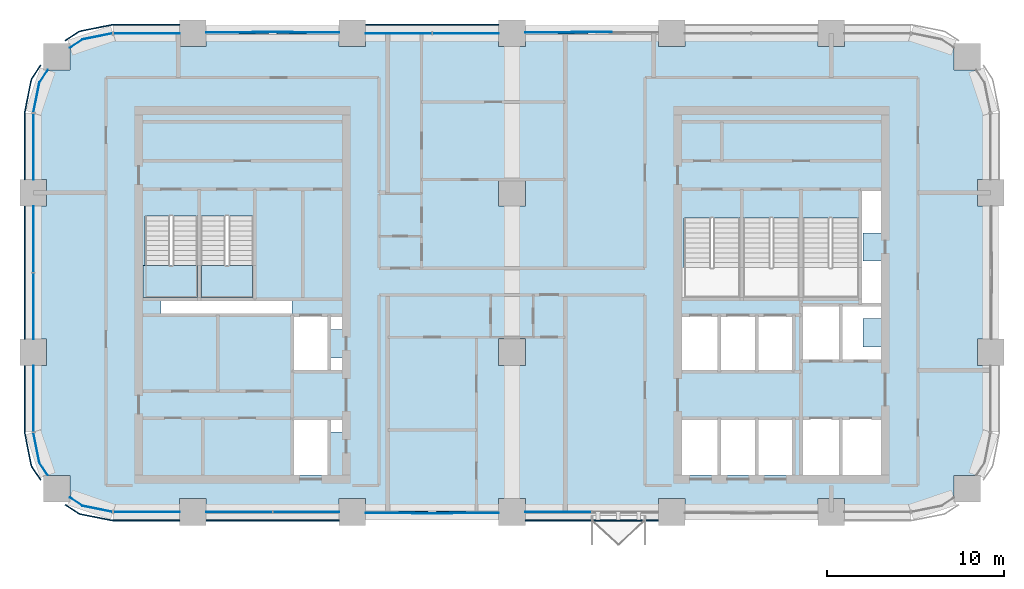
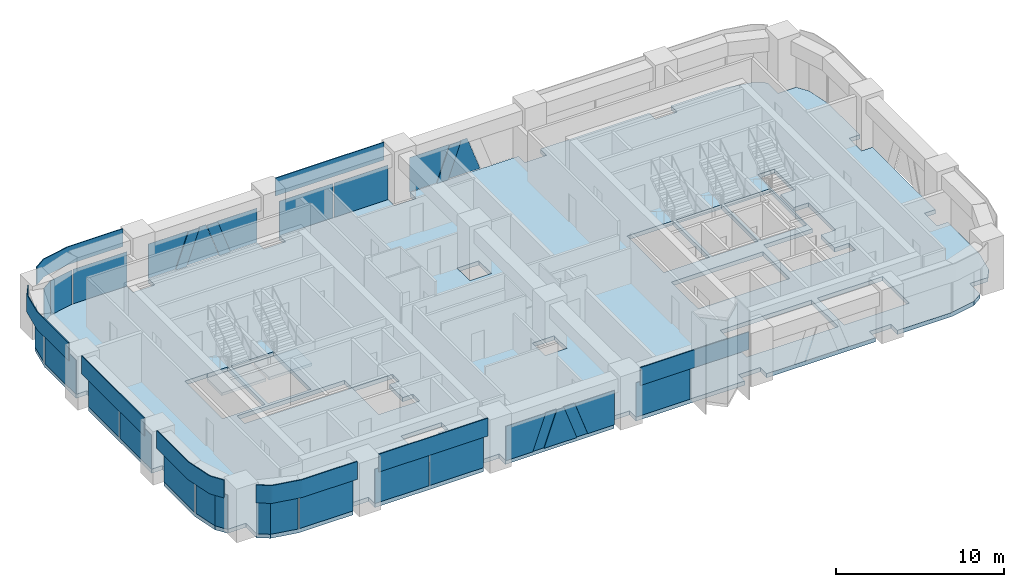
# One storey, part 7 of 14: 36 plates, 3 slabs, 13 elements without a shape of their own.
"""IFC4 building model written with IfcOpenShell, lengths in metres."""

from ifc_helpers import new_model, si_unit, direction, frame, origin, origin_2d, place, context, subcontext, project, spatial, polyline, rectangle, outline, extrude, material, layer, layer_set, type_object, element, aggregate, save


model = new_model("IFC4")

# Units and contexts
model_context = context("Model", 3, precision=1e-05, world=origin(), true_north=direction((0.0, 1.0)))
body_context = subcontext(model_context, "Body", "Model", "MODEL_VIEW")
ifc_project = project(units=[si_unit("LENGTHUNIT", "METRE"), si_unit("AREAUNIT", "SQUARE_METRE"), si_unit("VOLUMEUNIT", "CUBIC_METRE"), si_unit("PLANEANGLEUNIT", "RADIAN"), si_unit("MASSUNIT", "GRAM", prefix="KILO")], contexts=[model_context])

# Site, building, storey
site_placement = place(None, origin())
site = spatial("IfcSite", under=ifc_project, at=site_placement, CompositionType="ELEMENT")
building_placement = place(site_placement, origin())
building = spatial("IfcBuilding", under=site, at=building_placement, Name="Tessera Arch", CompositionType="ELEMENT")
storey_placement = place(building_placement, frame((0.0, 0.0, 134.89990234375)))
storey = spatial("IfcBuildingStorey", under=building, at=storey_placement, Name="L31", CompositionType="ELEMENT", Elevation=134.89990234375)

# Curtain wall, plates
ifc_material_1 = material(Name="CW1 curtain wall")
curtain_wall_type_1 = type_object("IfcCurtainWallType", Name="CW1 curtain wall", PredefinedType="NOTDEFINED", material=ifc_material_1)
curtain_wall_1_placement = place(storey_placement, origin())
curtain_wall_1 = element("IfcCurtainWall", 1, at=curtain_wall_1_placement, inside=storey, type_object=curtain_wall_type_1, Name="CW1 curtain wall N54.0/3 L31", PredefinedType="NOTDEFINED")
ifc_material_2 = material(Name="Clear low-e glass", Category="glass")
ifc_material_3 = material(Name="Clear low-e glass", Category="glass")
ifc_layer_1 = layer(ifc_material_3, 0.028076171875)
ifc_layer_set_1 = layer_set([ifc_layer_1], Name="CW1 glass panel")
plate_type_1 = type_object("IfcPlateType", Name="CW1 glass panel", PredefinedType="CURTAIN_PANEL", material=ifc_layer_set_1)
plate_1_placement = place(storey_placement, frame((24.389892578125, 54.0, 0.0), z_axis=(0.0, 0.0, 1.0), x_axis=(-1.0, 0.0, 0.0)))
plate_1 = element("IfcPlate", 2, at=plate_1_placement, type_object=plate_type_1, material=ifc_material_2, Name="CW1 glass panel N54.0/3 1.1.1", PredefinedType="CURTAIN_PANEL", context=body_context, shape_type="SweptSolid", body=[
    extrude(rectangle(XDim=3.719970703125, YDim=0.028076171875, at=origin_2d()), origin(), (0.0, 0.0, 1.0), 2.5),
])
plate_2_placement = place(storey_placement, frame((20.610107421875, 54.0, 0.0), z_axis=(0.0, 0.0, 1.0), x_axis=(-1.0, 0.0, 0.0)))
plate_2 = element("IfcPlate", 3, at=plate_2_placement, type_object=plate_type_1, material=ifc_material_2, Name="CW1 glass panel N54.0/3 1.2.1", PredefinedType="CURTAIN_PANEL", context=body_context, shape_type="SweptSolid", body=[
    extrude(rectangle(XDim=3.719970703125, YDim=0.028076171875, at=origin_2d()), origin(), (0.0, 0.0, 1.0), 2.5),
])

curtain_wall_2_placement = place(storey_placement, origin())
curtain_wall_2 = element("IfcCurtainWall", 4, at=curtain_wall_2_placement, inside=storey, type_object=curtain_wall_type_1, Name="CW1 curtain wall W0.27/1 L31", PredefinedType="NOTDEFINED")
plate_3_placement = place(storey_placement, frame((0.0, 42.389892578125, 0.0), z_axis=(0.0, 0.0, 1.0), x_axis=(0.0, -1.0, 0.0)))
plate_3 = element("IfcPlate", 5, at=plate_3_placement, type_object=plate_type_1, material=ifc_material_2, Name="CW1 glass panel W0.27/1 1.1.1", PredefinedType="CURTAIN_PANEL", context=body_context, shape_type="SweptSolid", body=[
    extrude(rectangle(XDim=3.719970703125, YDim=0.028076171875, at=origin_2d()), origin(), (0.0, 0.0, 1.0), 2.5),
])
plate_4_placement = place(storey_placement, frame((0.0, 38.610107421875, 0.0), z_axis=(0.0, 0.0, 1.0), x_axis=(0.0, -1.0, 0.0)))
plate_4 = element("IfcPlate", 6, at=plate_4_placement, type_object=plate_type_1, material=ifc_material_2, Name="CW1 glass panel W0.27/1 1.2.1", PredefinedType="CURTAIN_PANEL", context=body_context, shape_type="SweptSolid", body=[
    extrude(rectangle(XDim=3.719970703125, YDim=0.028076171875, at=origin_2d()), origin(), (0.0, 0.0, 1.0), 2.5),
])

curtain_wall_3_placement = place(storey_placement, origin())
curtain_wall_3 = element("IfcCurtainWall", 7, at=curtain_wall_3_placement, inside=storey, type_object=curtain_wall_type_1, Name="CW1 curtain wall S27.0/1 L31", PredefinedType="NOTDEFINED")
plate_5_placement = place(storey_placement, frame((11.610107421875, 27.0, 0.0), z_axis=(0.0, 0.0, 1.0), x_axis=(1.0, 0.0, 0.0)))
plate_5 = element("IfcPlate", 8, at=plate_5_placement, type_object=plate_type_1, material=ifc_material_2, Name="CW1 glass panel S27.0/1 1.1.1", PredefinedType="CURTAIN_PANEL", context=body_context, shape_type="SweptSolid", body=[
    extrude(rectangle(XDim=3.719970703125, YDim=0.028076171875, at=origin_2d()), origin(), (0.0, 0.0, 1.0), 2.5),
])
plate_6_placement = place(storey_placement, frame((15.389892578125, 27.0, 0.0), z_axis=(0.0, 0.0, 1.0), x_axis=(1.0, 0.0, 0.0)))
plate_6 = element("IfcPlate", 9, at=plate_6_placement, type_object=plate_type_1, material=ifc_material_2, Name="CW1 glass panel S27.0/1 1.2.1", PredefinedType="CURTAIN_PANEL", context=body_context, shape_type="SweptSolid", body=[
    extrude(rectangle(XDim=3.719970703125, YDim=0.028076171875, at=origin_2d()), origin(), (0.0, 0.0, 1.0), 2.5),
])

# Curtain wall, plate
curtain_wall_4_placement = place(storey_placement, origin())
curtain_wall_4 = element("IfcCurtainWall", 10, at=curtain_wall_4_placement, inside=storey, type_object=curtain_wall_type_1, Name="CW1 curtain wall S27.0/3 L31", PredefinedType="NOTDEFINED")
plate_7_placement = place(storey_placement, frame((29.610107421875, 27.0, 0.0), z_axis=(0.0, 0.0, 1.0), x_axis=(1.0, 0.0, 0.0)))
plate_7 = element("IfcPlate", 11, at=plate_7_placement, type_object=plate_type_1, material=ifc_material_2, Name="CW1 glass panel S27.0/3 1.1.1", PredefinedType="CURTAIN_PANEL", context=body_context, shape_type="SweptSolid", body=[
    extrude(rectangle(XDim=3.719970703125, YDim=0.028076171875, at=origin_2d()), origin(), (0.0, 0.0, 1.0), 2.5),
])

# Plate
ifc_material_4 = material(Name="Pale anodised aluminium panel", Category="aluminium")
ifc_layer_2 = layer(ifc_material_4, 0.06005859375)
ifc_layer_set_2 = layer_set([ifc_layer_2], Name="CW1 spandrel panel")
plate_type_2 = type_object("IfcPlateType", Name="CW1 spandrel panel", PredefinedType="CURTAIN_PANEL", material=ifc_layer_set_2)
plate_8_placement = place(storey_placement, frame((22.5, 54.47998046875, 2.60009765625), z_axis=(0.0, 0.0, 1.0), x_axis=(-1.0, 0.0, 0.0)))
plate_8 = element("IfcPlate", 12, at=plate_8_placement, type_object=plate_type_2, Name="CW1 spandrel panel N54.0/3", PredefinedType="CURTAIN_PANEL", context=body_context, shape_type="SweptSolid", body=[
    extrude(rectangle(XDim=7.5, YDim=0.06005859375, at=origin_2d()), origin(), (0.0, 0.0, 1.0), 1.300048828125),
])

aggregate(curtain_wall_1, [plate_1, plate_2, plate_8])

plate_9_placement = place(storey_placement, frame((-0.47998046875, 40.5, 2.60009765625), z_axis=(0.0, 0.0, 1.0), x_axis=(0.0, -1.0, 0.0)))
plate_9 = element("IfcPlate", 13, at=plate_9_placement, type_object=plate_type_2, Name="CW1 spandrel panel W0.27/1", PredefinedType="CURTAIN_PANEL", context=body_context, shape_type="SweptSolid", body=[
    extrude(rectangle(XDim=7.5, YDim=0.06005859375, at=origin_2d()), origin(), (0.0, 0.0, 1.0), 1.300048828125),
])

aggregate(curtain_wall_2, [plate_3, plate_4, plate_9])

plate_10_placement = place(storey_placement, frame((13.5, 26.52001953125, 2.60009765625), z_axis=(0.0, 0.0, 1.0), x_axis=(1.0, 0.0, 0.0)))
plate_10 = element("IfcPlate", 14, at=plate_10_placement, type_object=plate_type_2, Name="CW1 spandrel panel S27.0/1", PredefinedType="CURTAIN_PANEL", context=body_context, shape_type="SweptSolid", body=[
    extrude(rectangle(XDim=7.5, YDim=0.06005859375, at=origin_2d()), origin(), (0.0, 0.0, 1.0), 1.300048828125),
])

aggregate(curtain_wall_3, [plate_5, plate_6, plate_10])

plate_11_placement = place(storey_placement, frame((31.5, 26.52001953125, 2.60009765625), z_axis=(0.0, 0.0, 1.0), x_axis=(1.0, 0.0, 0.0)))
plate_11 = element("IfcPlate", 15, at=plate_11_placement, type_object=plate_type_2, Name="CW1 spandrel panel S27.0/3", PredefinedType="CURTAIN_PANEL", context=body_context, shape_type="SweptSolid", body=[
    extrude(rectangle(XDim=7.5, YDim=0.06005859375, at=origin_2d()), origin(), (0.0, 0.0, 1.0), 1.300048828125),
])

aggregate(curtain_wall_4, [plate_7, plate_11])

# Curtain wall, plates
ifc_material_5 = material(Name="CW2 curtain wall")
curtain_wall_type_2 = type_object("IfcCurtainWallType", Name="CW2 curtain wall", PredefinedType="NOTDEFINED", material=ifc_material_5)
curtain_wall_5_placement = place(storey_placement, origin())
curtain_wall_5 = element("IfcCurtainWall", 16, at=curtain_wall_5_placement, inside=storey, type_object=curtain_wall_type_2, Name="CW2 curtain wall N54.0/5 L31", PredefinedType="NOTDEFINED")
ifc_material_6 = material(Name="Clear low-e glass", Category="glass")
ifc_layer_3 = layer(ifc_material_6, 0.028076171875)
ifc_layer_set_3 = layer_set([ifc_layer_3], Name="CW2 glass panel")
plate_type_3 = type_object("IfcPlateType", Name="CW2 glass panel", PredefinedType="CURTAIN_PANEL", material=ifc_layer_set_3)
plate_12_placement = place(storey_placement, frame((6.39501953125, 54.0, 0.0), z_axis=(0.0, 0.0, 1.0), x_axis=(-1.0, 0.0, 0.0)))
plate_12 = element("IfcPlate", 17, at=plate_12_placement, type_object=plate_type_3, material=ifc_material_2, Name="CW2 glass panel N54.0/5 1.1", PredefinedType="CURTAIN_PANEL", context=body_context, shape_type="SweptSolid", body=[
    extrude(rectangle(XDim=3.7099609375, YDim=0.028076171875, at=origin_2d()), origin(), (0.0, 0.0, 1.0), 2.5),
])
plate_13_placement = place(storey_placement, origin())
plate_13 = element("IfcPlate", 18, at=plate_13_placement, type_object=plate_type_3, material=ifc_material_2, Name="CW2 curved glass panel N54.0/5 2.1", PredefinedType="CURTAIN_PANEL", context=body_context, shape_type="SweptSolid", body=[
    extrude(outline(polyline([(2.783447265625, 53.644287109375), (4.46337890625, 53.978515625), (4.4580078125, 54.005859375), (2.7724609375, 53.670654296875), (2.060302734375, 53.19482421875), (2.07568359375, 53.17138671875), (2.783447265625, 53.644287109375)])), origin(), (0.0, 0.0, 1.0), 2.5),
])

curtain_wall_6_placement = place(storey_placement, origin())
curtain_wall_6 = element("IfcCurtainWall", 19, at=curtain_wall_6_placement, inside=storey, type_object=curtain_wall_type_2, Name="CW2 curtain wall W0.27/0 L31", PredefinedType="NOTDEFINED")
plate_14_placement = place(storey_placement, frame((0.0, 47.60498046875, 0.0), z_axis=(0.0, 0.0, 1.0), x_axis=(0.0, -1.0, 0.0)))
plate_14 = element("IfcPlate", 20, at=plate_14_placement, type_object=plate_type_3, material=ifc_material_2, Name="CW2 glass panel W0.27/0 1.1", PredefinedType="CURTAIN_PANEL", context=body_context, shape_type="SweptSolid", body=[
    extrude(rectangle(XDim=3.7099609375, YDim=0.028076171875, at=origin_2d()), origin(), (0.0, 0.0, 1.0), 2.5),
])
plate_15_placement = place(storey_placement, origin())
plate_15 = element("IfcPlate", 21, at=plate_15_placement, type_object=plate_type_3, material=ifc_material_2, Name="CW2 curved glass panel W0.27/0 2.1", PredefinedType="CURTAIN_PANEL", context=body_context, shape_type="SweptSolid", body=[
    extrude(outline(polyline([(0.355712890625, 51.216552734375), (0.82861328125, 51.92431640625), (0.80517578125, 51.939697265625), (0.329345703125, 51.2275390625), (-0.005859375, 49.5419921875), (0.021484375, 49.53662109375), (0.355712890625, 51.216552734375)])), origin(), (0.0, 0.0, 1.0), 2.5),
])

curtain_wall_7_placement = place(storey_placement, origin())
curtain_wall_7 = element("IfcCurtainWall", 22, at=curtain_wall_7_placement, inside=storey, type_object=curtain_wall_type_2, Name="CW2 curtain wall W0.27/2 L31", PredefinedType="NOTDEFINED")
plate_16_placement = place(storey_placement, frame((0.0, 33.39501953125, 0.0), z_axis=(0.0, 0.0, 1.0), x_axis=(0.0, -1.0, 0.0)))
plate_16 = element("IfcPlate", 23, at=plate_16_placement, type_object=plate_type_3, material=ifc_material_2, Name="CW2 glass panel W0.27/2 1.1", PredefinedType="CURTAIN_PANEL", context=body_context, shape_type="SweptSolid", body=[
    extrude(rectangle(XDim=3.7099609375, YDim=0.028076171875, at=origin_2d()), origin(), (0.0, 0.0, 1.0), 2.5),
])
plate_17_placement = place(storey_placement, origin())
plate_17 = element("IfcPlate", 24, at=plate_17_placement, type_object=plate_type_3, material=ifc_material_2, Name="CW2 curved glass panel W0.27/2 2.1", PredefinedType="CURTAIN_PANEL", context=body_context, shape_type="SweptSolid", body=[
    extrude(outline(polyline([(0.355712890625, 29.783447265625), (0.021484375, 31.46337890625), (-0.005859375, 31.4580078125), (0.329345703125, 29.7724609375), (0.80517578125, 29.060302734375), (0.82861328125, 29.07568359375), (0.355712890625, 29.783447265625)])), origin(), (0.0, 0.0, 1.0), 2.5),
])

curtain_wall_8_placement = place(storey_placement, origin())
curtain_wall_8 = element("IfcCurtainWall", 25, at=curtain_wall_8_placement, inside=storey, type_object=curtain_wall_type_2, Name="CW2 curtain wall S27.0/0 L31", PredefinedType="NOTDEFINED")
plate_18_placement = place(storey_placement, frame((6.39501953125, 27.0, 0.0), z_axis=(0.0, 0.0, 1.0), x_axis=(1.0, 0.0, 0.0)))
plate_18 = element("IfcPlate", 26, at=plate_18_placement, type_object=plate_type_3, material=ifc_material_2, Name="CW2 glass panel S27.0/0 1.1", PredefinedType="CURTAIN_PANEL", context=body_context, shape_type="SweptSolid", body=[
    extrude(rectangle(XDim=3.7099609375, YDim=0.028076171875, at=origin_2d()), origin(), (0.0, 0.0, 1.0), 2.5),
])
plate_19_placement = place(storey_placement, origin())
plate_19 = element("IfcPlate", 27, at=plate_19_placement, type_object=plate_type_3, material=ifc_material_2, Name="CW2 curved glass panel S27.0/0 2.1", PredefinedType="CURTAIN_PANEL", context=body_context, shape_type="SweptSolid", body=[
    extrude(outline(polyline([(2.783447265625, 27.355712890625), (2.07568359375, 27.82861328125), (2.060302734375, 27.80517578125), (2.7724609375, 27.329345703125), (4.4580078125, 26.994140625), (4.46337890625, 27.021484375), (2.783447265625, 27.355712890625)])), origin(), (0.0, 0.0, 1.0), 2.5),
])

# Plate
ifc_material_7 = material(Name="Pale anodised aluminium panel", Category="aluminium")
ifc_layer_4 = layer(ifc_material_7, 0.06005859375)
ifc_layer_set_4 = layer_set([ifc_layer_4], Name="CW2 spandrel panel")
plate_type_4 = type_object("IfcPlateType", Name="CW2 spandrel panel", PredefinedType="CURTAIN_PANEL", material=ifc_layer_set_4)
plate_20_placement = place(storey_placement, frame((0.0, 0.0, 2.60009765625)))
plate_20 = element("IfcPlate", 28, at=plate_20_placement, type_object=plate_type_4, Name="CW2 spandrel panel N54.0/5", PredefinedType="CURTAIN_PANEL", context=body_context, shape_type="SweptSolid", body=[
    extrude(outline(polyline([(4.500732421875, 54.449951171875), (8.25, 54.449951171875), (8.25, 54.510009765625), (4.499267578125, 54.510009765625), (4.449951171875, 54.507568359375), (4.401123046875, 54.500244140625), (2.677734375, 54.157470703125), (2.6298828125, 54.1455078125), (2.582763671875, 54.128662109375), (2.537353515625, 54.107421875), (2.4951171875, 54.08203125), (1.78466796875, 53.607177734375), (1.81787109375, 53.55712890625), (2.52734375, 54.03125), (2.565673828125, 54.054443359375), (2.605712890625, 54.0732421875), (2.647216796875, 54.088134765625), (2.69091796875, 54.09912109375), (4.411376953125, 54.441162109375), (4.455810546875, 54.44775390625), (4.500732421875, 54.449951171875)])), origin(), (0.0, 0.0, 1.0), 1.300048828125),
])

aggregate(curtain_wall_5, [plate_12, plate_13, plate_20])

plate_21_placement = place(storey_placement, frame((0.0, 0.0, 2.60009765625)))
plate_21 = element("IfcPlate", 29, at=plate_21_placement, type_object=plate_type_4, Name="CW2 spandrel panel W0.27/0", PredefinedType="CURTAIN_PANEL", context=body_context, shape_type="SweptSolid", body=[
    extrude(outline(polyline([(-0.03125, 51.47265625), (0.44287109375, 52.18212890625), (0.392822265625, 52.21533203125), (-0.08203125, 51.5048828125), (-0.107421875, 51.462646484375), (-0.128662109375, 51.417236328125), (-0.1455078125, 51.3701171875), (-0.157470703125, 51.322265625), (-0.500244140625, 49.598876953125), (-0.507568359375, 49.550048828125), (-0.510009765625, 49.500732421875), (-0.510009765625, 45.75), (-0.449951171875, 45.75), (-0.449951171875, 49.499267578125), (-0.44775390625, 49.544189453125), (-0.441162109375, 49.588623046875), (-0.09912109375, 51.30908203125), (-0.088134765625, 51.352783203125), (-0.0732421875, 51.394287109375), (-0.054443359375, 51.434326171875), (-0.03125, 51.47265625)])), origin(), (0.0, 0.0, 1.0), 1.300048828125),
])

aggregate(curtain_wall_6, [plate_14, plate_15, plate_21])

plate_22_placement = place(storey_placement, frame((0.0, 0.0, 2.60009765625)))
plate_22 = element("IfcPlate", 30, at=plate_22_placement, type_object=plate_type_4, Name="CW2 spandrel panel W0.27/2", PredefinedType="CURTAIN_PANEL", context=body_context, shape_type="SweptSolid", body=[
    extrude(outline(polyline([(-0.449951171875, 31.500732421875), (-0.449951171875, 35.25), (-0.510009765625, 35.25), (-0.510009765625, 31.499267578125), (-0.507568359375, 31.449951171875), (-0.500244140625, 31.401123046875), (-0.157470703125, 29.677734375), (-0.1455078125, 29.6298828125), (-0.128662109375, 29.582763671875), (-0.107421875, 29.537353515625), (-0.08203125, 29.4951171875), (0.392822265625, 28.78466796875), (0.44287109375, 28.81787109375), (-0.03125, 29.52734375), (-0.054443359375, 29.565673828125), (-0.0732421875, 29.605712890625), (-0.088134765625, 29.647216796875), (-0.09912109375, 29.69091796875), (-0.441162109375, 31.411376953125), (-0.44775390625, 31.455810546875), (-0.449951171875, 31.500732421875)])), origin(), (0.0, 0.0, 1.0), 1.300048828125),
])

aggregate(curtain_wall_7, [plate_16, plate_17, plate_22])

plate_23_placement = place(storey_placement, frame((0.0, 0.0, 2.60009765625)))
plate_23 = element("IfcPlate", 31, at=plate_23_placement, type_object=plate_type_4, Name="CW2 spandrel panel S27.0/0", PredefinedType="CURTAIN_PANEL", context=body_context, shape_type="SweptSolid", body=[
    extrude(outline(polyline([(2.52734375, 26.96875), (1.81787109375, 27.44287109375), (1.78466796875, 27.392822265625), (2.4951171875, 26.91796875), (2.537353515625, 26.892578125), (2.582763671875, 26.871337890625), (2.6298828125, 26.8544921875), (2.677734375, 26.842529296875), (4.401123046875, 26.499755859375), (4.449951171875, 26.492431640625), (4.499267578125, 26.489990234375), (8.25, 26.489990234375), (8.25, 26.550048828125), (4.500732421875, 26.550048828125), (4.455810546875, 26.55224609375), (4.411376953125, 26.558837890625), (2.69091796875, 26.90087890625), (2.647216796875, 26.911865234375), (2.605712890625, 26.9267578125), (2.565673828125, 26.945556640625), (2.52734375, 26.96875)])), origin(), (0.0, 0.0, 1.0), 1.300048828125),
])

aggregate(curtain_wall_8, [plate_18, plate_19, plate_23])

# Curtain wall, plate
ifc_material_8 = material(Name="CW3 curtain wall")
curtain_wall_type_3 = type_object("IfcCurtainWallType", Name="CW3 curtain wall", PredefinedType="NOTDEFINED", material=ifc_material_8)
curtain_wall_9_placement = place(storey_placement, origin())
curtain_wall_9 = element("IfcCurtainWall", 32, at=curtain_wall_9_placement, inside=storey, type_object=curtain_wall_type_3, Name="CW3 curtain wall N54.0/2 L31", PredefinedType="NOTDEFINED")
ifc_material_9 = material(Name="Pale anodised aluminium panel", Category="aluminium")
ifc_layer_5 = layer(ifc_material_9, 0.06005859375)
ifc_layer_set_5 = layer_set([ifc_layer_5], Name="CW3 diagonal panel")
plate_type_5 = type_object("IfcPlateType", Name="CW3 diagonal panel", PredefinedType="CURTAIN_PANEL", material=ifc_layer_set_5)
plate_24_placement = place(storey_placement, frame((30.4951171875, 54.030029296875, 2.5), z_axis=(0.0, 1.0, 0.0), x_axis=(1.0, 0.0, 0.0)))
plate_24 = element("IfcPlate", 33, at=plate_24_placement, type_object=plate_type_5, Name="CW3 diagonal panel N54.0/2 1", PredefinedType="CURTAIN_PANEL", context=body_context, shape_type="SweptSolid", body=[
    extrude(outline(polyline([(0.0, 0.0), (0.765625, 0.0), (-0.123046875, 2.5), (-0.888671875, 2.5), (0.0, 0.0)])), origin(), (0.0, 0.0, -1.0), 0.06005859375),
])

# Curtain wall, plates
curtain_wall_10_placement = place(storey_placement, origin())
curtain_wall_10 = element("IfcCurtainWall", 34, at=curtain_wall_10_placement, inside=storey, type_object=curtain_wall_type_3, Name="CW3 curtain wall N54.0/4 L31", PredefinedType="NOTDEFINED")
plate_25_placement = place(storey_placement, frame((12.4951171875, 54.030029296875, 2.5), z_axis=(0.0, 1.0, 0.0), x_axis=(1.0, 0.0, 0.0)))
plate_25 = element("IfcPlate", 35, at=plate_25_placement, type_object=plate_type_5, Name="CW3 diagonal panel N54.0/4 1", PredefinedType="CURTAIN_PANEL", context=body_context, shape_type="SweptSolid", body=[
    extrude(outline(polyline([(0.0, 0.0), (0.765625, 0.0), (-0.123046875, 2.5), (-0.888671875, 2.5), (0.0, 0.0)])), origin(), (0.0, 0.0, -1.0), 0.06005859375),
])
plate_26_placement = place(storey_placement, frame((13.7392578125, 54.030029296875, 2.5), z_axis=(0.0, 1.0, 0.0), x_axis=(1.0, 0.0, 0.0)))
plate_26 = element("IfcPlate", 36, at=plate_26_placement, type_object=plate_type_5, Name="CW3 diagonal panel N54.0/4 2", PredefinedType="CURTAIN_PANEL", context=body_context, shape_type="SweptSolid", body=[
    extrude(outline(polyline([(0.0, 0.0), (0.765625, 0.0), (1.654296875, 2.5), (0.888671875, 2.5), (0.0, 0.0)])), origin(), (0.0, 0.0, -1.0), 0.06005859375),
])

curtain_wall_11_placement = place(storey_placement, origin())
curtain_wall_11 = element("IfcCurtainWall", 37, at=curtain_wall_11_placement, inside=storey, type_object=curtain_wall_type_3, Name="CW3 curtain wall S27.0/2 L31", PredefinedType="NOTDEFINED")
plate_27_placement = place(storey_placement, frame((23.5048828125, 26.969970703125, 2.5), z_axis=(0.0, -1.0, 0.0), x_axis=(-1.0, 0.0, 0.0)))
plate_27 = element("IfcPlate", 38, at=plate_27_placement, type_object=plate_type_5, Name="CW3 diagonal panel S27.0/2 1", PredefinedType="CURTAIN_PANEL", context=body_context, shape_type="SweptSolid", body=[
    extrude(outline(polyline([(0.0, 0.0), (0.765625, 0.0), (-0.123046875, 2.5), (-0.888671875, 2.5), (0.0, 0.0)])), origin(), (0.0, 0.0, -1.0), 0.06005859375),
])
plate_28_placement = place(storey_placement, frame((22.2607421875, 26.969970703125, 2.5), z_axis=(0.0, -1.0, 0.0), x_axis=(-1.0, 0.0, 0.0)))
plate_28 = element("IfcPlate", 39, at=plate_28_placement, type_object=plate_type_5, Name="CW3 diagonal panel S27.0/2 2", PredefinedType="CURTAIN_PANEL", context=body_context, shape_type="SweptSolid", body=[
    extrude(outline(polyline([(0.0, 0.0), (0.765625, 0.0), (1.654296875, 2.5), (0.888671875, 2.5), (0.0, 0.0)])), origin(), (0.0, 0.0, -1.0), 0.06005859375),
])

# Plate
ifc_material_10 = material(Name="Clear low-e glass", Category="glass")
ifc_layer_6 = layer(ifc_material_10, 0.028076171875)
ifc_layer_set_6 = layer_set([ifc_layer_6], Name="CW3 glass panel")
plate_type_6 = type_object("IfcPlateType", Name="CW3 glass panel", PredefinedType="CURTAIN_PANEL", material=ifc_layer_set_6)
plate_29_placement = place(storey_placement, frame((31.2607421875, 54.0859375, 2.5), z_axis=(0.0, 1.0, 0.0), x_axis=(1.0, 0.0, 0.0)))
plate_29 = element("IfcPlate", 40, at=plate_29_placement, type_object=plate_type_6, material=ifc_material_2, Name="CW3 triangulated glass panel N54.0/2 2", PredefinedType="CURTAIN_PANEL", context=body_context, shape_type="SweptSolid", body=[
    extrude(outline(polyline([(0.0, 0.0), (0.478515625, 0.0), (1.3671875, 2.5), (-0.888671875, 2.5), (0.0, 0.0)])), origin(), (0.0, 0.0, -1.0), 0.028076171875),
])

plate_30_placement = place(storey_placement, frame((27.75, 54.05810546875, 2.5), z_axis=(0.0, 1.0, 0.0), x_axis=(1.0, 0.0, 0.0)))
plate_30 = element("IfcPlate", 41, at=plate_30_placement, type_object=plate_type_6, material=ifc_material_2, Name="CW3 triangulated glass panel N54.0/2 3", PredefinedType="CURTAIN_PANEL", context=body_context, shape_type="SweptSolid", body=[
    extrude(outline(polyline([(0.0, 0.0), (2.7451171875, 0.0), (1.8564453125, 2.5), (0.0, 2.5), (0.0, 0.0)])), origin(), (0.0, 0.0, -1.0), 0.028076171875),
])

aggregate(curtain_wall_9, [plate_29, plate_30, plate_24])

plate_31_placement = place(storey_placement, frame((17.25, 54.05810546875, 0.0), z_axis=(0.0, 1.0, 0.0), x_axis=(-1.0, 0.0, 0.0)))
plate_31 = element("IfcPlate", 42, at=plate_31_placement, type_object=plate_type_6, material=ifc_material_2, Name="CW3 triangulated glass panel N54.0/4 1", PredefinedType="CURTAIN_PANEL", context=body_context, shape_type="SweptSolid", body=[
    extrude(outline(polyline([(0.0, 0.0), (1.8564453125, 0.0), (2.7451171875, 2.5), (0.0, 2.5), (0.0, 0.0)])), origin(), (0.0, 0.0, -1.0), 0.028076171875),
])

plate_32_placement = place(storey_placement, frame((13.2607421875, 54.0859375, 2.5), z_axis=(0.0, 1.0, 0.0), x_axis=(1.0, 0.0, 0.0)))
plate_32 = element("IfcPlate", 43, at=plate_32_placement, type_object=plate_type_6, material=ifc_material_2, Name="CW3 triangulated glass panel N54.0/4 2", PredefinedType="CURTAIN_PANEL", context=body_context, shape_type="SweptSolid", body=[
    extrude(outline(polyline([(0.0, 0.0), (0.478515625, 0.0), (1.3671875, 2.5), (-0.888671875, 2.5), (0.0, 0.0)])), origin(), (0.0, 0.0, -1.0), 0.028076171875),
])

plate_33_placement = place(storey_placement, frame((9.75, 54.05810546875, 2.5), z_axis=(0.0, 1.0, 0.0), x_axis=(1.0, 0.0, 0.0)))
plate_33 = element("IfcPlate", 44, at=plate_33_placement, type_object=plate_type_6, material=ifc_material_2, Name="CW3 triangulated glass panel N54.0/4 3", PredefinedType="CURTAIN_PANEL", context=body_context, shape_type="SweptSolid", body=[
    extrude(outline(polyline([(0.0, 0.0), (2.7451171875, 0.0), (1.8564453125, 2.5), (0.0, 2.5), (0.0, 0.0)])), origin(), (0.0, 0.0, -1.0), 0.028076171875),
])

aggregate(curtain_wall_10, [plate_31, plate_32, plate_33, plate_25, plate_26])

plate_34_placement = place(storey_placement, frame((18.75, 26.94189453125, 0.0), z_axis=(0.0, -1.0, 0.0), x_axis=(1.0, 0.0, 0.0)))
plate_34 = element("IfcPlate", 45, at=plate_34_placement, type_object=plate_type_6, material=ifc_material_2, Name="CW3 triangulated glass panel S27.0/2 1", PredefinedType="CURTAIN_PANEL", context=body_context, shape_type="SweptSolid", body=[
    extrude(outline(polyline([(0.0, 0.0), (1.8564453125, 0.0), (2.7451171875, 2.5), (0.0, 2.5), (0.0, 0.0)])), origin(), (0.0, 0.0, -1.0), 0.028076171875),
])

plate_35_placement = place(storey_placement, frame((22.7392578125, 26.9140625, 2.5), z_axis=(0.0, -1.0, 0.0), x_axis=(-1.0, 0.0, 0.0)))
plate_35 = element("IfcPlate", 46, at=plate_35_placement, type_object=plate_type_6, material=ifc_material_2, Name="CW3 triangulated glass panel S27.0/2 2", PredefinedType="CURTAIN_PANEL", context=body_context, shape_type="SweptSolid", body=[
    extrude(outline(polyline([(0.0, 0.0), (0.478515625, 0.0), (1.3671875, 2.5), (-0.888671875, 2.5), (0.0, 0.0)])), origin(), (0.0, 0.0, -1.0), 0.028076171875),
])

plate_36_placement = place(storey_placement, frame((26.25, 26.94189453125, 2.5), z_axis=(0.0, -1.0, 0.0), x_axis=(-1.0, 0.0, 0.0)))
plate_36 = element("IfcPlate", 47, at=plate_36_placement, type_object=plate_type_6, material=ifc_material_2, Name="CW3 triangulated glass panel S27.0/2 3", PredefinedType="CURTAIN_PANEL", context=body_context, shape_type="SweptSolid", body=[
    extrude(outline(polyline([(0.0, 0.0), (2.7451171875, 0.0), (1.8564453125, 2.5), (0.0, 2.5), (0.0, 0.0)])), origin(), (0.0, 0.0, -1.0), 0.028076171875),
])

aggregate(curtain_wall_11, [plate_34, plate_35, plate_36, plate_27, plate_28])

# Slab
ifc_material_11 = material(Name="Concrete C40/50", Category="concrete")
ifc_layer_7 = layer(ifc_material_11, 0.300048828125)
ifc_layer_set_7 = layer_set([ifc_layer_7], Name="Floor slab 300 Concrete C40/50")
slab_type_1 = type_object("IfcSlabType", Name="Floor slab 300 Concrete C40/50", PredefinedType="FLOOR", material=ifc_layer_set_7)
slab_1_placement = place(storey_placement, frame((0.0, 0.0, -0.2998046875)))
element("IfcSlab", 48, at=slab_1_placement, inside=storey, type_object=slab_type_1, Name="Floor slab L31 1", PredefinedType="FLOOR", context=body_context, shape_type="SweptSolid", body=[
    extrude(outline(polyline([(54.0, 31.5), (53.657470703125, 29.77783203125), (53.18310546875, 29.068115234375), (51.931884765625, 29.068115234375), (51.931884765625, 27.81689453125), (51.22216796875, 27.342529296875), (49.5, 27.0), (45.75, 27.0), (45.75, 27.75), (44.25, 27.75), (44.25, 27.0), (36.75, 27.0), (36.75, 27.75), (35.25, 27.75), (35.25, 27.0), (27.75, 27.0), (27.75, 27.75), (26.25, 27.75), (26.25, 27.0), (18.75, 27.0), (18.75, 27.75), (17.25, 27.75), (17.25, 27.0), (9.75, 27.0), (9.75, 27.75), (8.25, 27.75), (8.25, 27.0), (4.5, 27.0), (2.77783203125, 27.342529296875), (2.068115234375, 27.81689453125), (2.068115234375, 29.068115234375), (0.81689453125, 29.068115234375), (0.342529296875, 29.77783203125), (0.0, 31.5), (0.0, 35.25), (0.75, 35.25), (0.75, 36.75), (0.0, 36.75), (0.0, 44.25), (0.75, 44.25), (0.75, 45.75), (0.0, 45.75), (0.0, 49.5), (0.342529296875, 51.22216796875), (0.81689453125, 51.931884765625), (2.068115234375, 51.931884765625), (2.068115234375, 53.18310546875), (2.77783203125, 53.657470703125), (4.5, 54.0), (8.25, 54.0), (8.25, 53.25), (9.75, 53.25), (9.75, 54.0), (17.25, 54.0), (17.25, 53.25), (18.75, 53.25), (18.75, 54.0), (26.25, 54.0), (26.25, 53.25), (27.75, 53.25), (27.75, 54.0), (35.25, 54.0), (35.25, 53.25), (36.75, 53.25), (36.75, 54.0), (44.25, 54.0), (44.25, 53.25), (45.75, 53.25), (45.75, 54.0), (49.5, 54.0), (51.22216796875, 53.657470703125), (51.931884765625, 53.18310546875), (51.931884765625, 51.931884765625), (53.18310546875, 51.931884765625), (53.657470703125, 51.22216796875), (54.0, 49.5), (54.0, 45.75), (53.25, 45.75), (53.25, 44.25), (54.0, 44.25), (54.0, 36.75), (53.25, 36.75), (53.25, 35.25), (54.0, 35.25), (54.0, 31.5)]), holes=[polyline([(14.60009765625, 29.10009765625), (16.699951171875, 29.10009765625), (16.699951171875, 31.5), (17.39990234375, 31.5), (17.39990234375, 32.300048828125), (16.699951171875, 32.300048828125), (14.60009765625, 32.300048828125), (14.60009765625, 29.10009765625)]), polyline([(26.25, 36.75), (26.25, 35.25), (27.75, 35.25), (27.75, 36.75), (26.25, 36.75)]), polyline([(17.39990234375, 37.300048828125), (17.39990234375, 38.10009765625), (16.699951171875, 38.10009765625), (14.60498046875, 38.10009765625), (14.60498046875, 38.10498046875), (14.60009765625, 38.10498046875), (14.60009765625, 39.0), (7.199951171875, 39.0), (7.199951171875, 38.10009765625), (14.594970703125, 38.10009765625), (14.594970703125, 38.094970703125), (14.60009765625, 38.094970703125), (14.60009765625, 34.89990234375), (16.699951171875, 34.89990234375), (17.39990234375, 34.89990234375), (17.39990234375, 35.699951171875), (16.699951171875, 35.699951171875), (16.699951171875, 37.300048828125), (17.39990234375, 37.300048828125)]), polyline([(6.300048828125, 43.68994140625), (6.300048828125, 39.199951171875), (9.25, 39.199951171875), (9.25, 43.68994140625), (7.85009765625, 43.68994140625), (7.85009765625, 43.699951171875), (7.699951171875, 43.699951171875), (7.699951171875, 43.68994140625), (6.300048828125, 43.68994140625)]), polyline([(9.449951171875, 39.199951171875), (12.39990234375, 39.199951171875), (12.39990234375, 43.68994140625), (11.0, 43.68994140625), (11.0, 43.699951171875), (10.85009765625, 43.699951171875), (10.85009765625, 43.68994140625), (9.449951171875, 43.68994140625), (9.449951171875, 39.199951171875)]), polyline([(38.699951171875, 29.10009765625), (40.800048828125, 29.10009765625), (42.89990234375, 29.10009765625), (42.89990234375, 32.300048828125), (40.800048828125, 32.300048828125), (38.699951171875, 32.300048828125), (36.60009765625, 32.300048828125), (36.60009765625, 29.10009765625), (38.699951171875, 29.10009765625)]), polyline([(45.550048828125, 32.300048828125), (43.300048828125, 32.300048828125), (43.300048828125, 29.10009765625), (45.550048828125, 29.10009765625), (47.800048828125, 29.10009765625), (47.800048828125, 32.300048828125), (45.550048828125, 32.300048828125)]), polyline([(40.800048828125, 34.89990234375), (42.89990234375, 34.89990234375), (42.89990234375, 38.10009765625), (40.800048828125, 38.10009765625), (38.699951171875, 38.10009765625), (36.60009765625, 38.10009765625), (36.60009765625, 34.89990234375), (38.699951171875, 34.89990234375), (40.800048828125, 34.89990234375)]), polyline([(47.800048828125, 42.75), (47.800048828125, 45.199951171875), (46.64990234375, 45.199951171875), (46.64990234375, 38.699951171875), (45.550048828125, 38.699951171875), (43.300048828125, 38.699951171875), (43.300048828125, 35.5), (45.550048828125, 35.5), (47.800048828125, 35.5), (47.800048828125, 36.300048828125), (46.800048828125, 36.300048828125), (46.800048828125, 37.89990234375), (47.800048828125, 37.89990234375), (47.800048828125, 38.699951171875), (47.800048828125, 41.14990234375), (46.800048828125, 41.14990234375), (46.800048828125, 42.75), (47.800048828125, 42.75)]), polyline([(36.699951171875, 39.199951171875), (39.85009765625, 39.199951171875), (39.85009765625, 43.570068359375), (38.330078125, 43.570068359375), (38.330078125, 43.580078125), (38.219970703125, 43.580078125), (38.219970703125, 43.570068359375), (36.699951171875, 43.570068359375), (36.699951171875, 39.199951171875)]), polyline([(40.050048828125, 39.199951171875), (43.199951171875, 39.199951171875), (43.199951171875, 43.570068359375), (41.679931640625, 43.570068359375), (41.679931640625, 43.580078125), (41.570068359375, 43.580078125), (41.570068359375, 43.570068359375), (40.050048828125, 43.570068359375), (40.050048828125, 39.199951171875)]), polyline([(43.39990234375, 43.570068359375), (43.39990234375, 39.199951171875), (46.550048828125, 39.199951171875), (46.550048828125, 43.570068359375), (45.030029296875, 43.570068359375), (45.030029296875, 43.580078125), (44.919921875, 43.580078125), (44.919921875, 43.570068359375), (43.39990234375, 43.570068359375)]), polyline([(26.25, 45.75), (26.25, 44.25), (27.75, 44.25), (27.75, 45.75), (26.25, 45.75)])]), origin(), (0.0, 0.0, 1.0), 0.2998046875),
])

# Stair, slab
ifc_material_12 = material(Name="Concrete C40/50", Category="concrete")
stair_type = type_object("IfcStairType", Name="Dogleg stair 1400", PredefinedType="HALF_TURN_STAIR", material=ifc_material_12)
stair_1_placement = place(storey_placement, origin())
stair_1 = element("IfcStair", 49, at=stair_1_placement, inside=storey, type_object=stair_type, Name="L31 S2a", PredefinedType="HALF_TURN_STAIR")
ifc_material_13 = material(Name="Concrete C40/50", Category="concrete")
ifc_layer_8 = layer(ifc_material_13, 0.300048828125)
ifc_layer_set_8 = layer_set([ifc_layer_8], Name="Stair landing 300")
slab_type_2 = type_object("IfcSlabType", Name="Stair landing 300", PredefinedType="LANDING", material=ifc_layer_set_8)
slab_2_placement = place(storey_placement, frame((0.0, 0.0, 1.75)))
slab_2 = element("IfcSlab", 50, at=slab_2_placement, type_object=slab_type_2, Name="S2a landing 1", PredefinedType="LANDING", context=body_context, shape_type="SweptSolid", body=[
    extrude(outline(polyline([(6.199951171875, 40.89990234375), (6.199951171875, 39.10009765625), (9.25, 39.10009765625), (9.25, 40.89990234375), (6.199951171875, 40.89990234375)])), origin(), (0.0, 0.0, 1.0), 0.2001953125),
])
aggregate(stair_1, [slab_2])

stair_2_placement = place(storey_placement, origin())
stair_2 = element("IfcStair", 51, at=stair_2_placement, inside=storey, type_object=stair_type, Name="L31 S2b", PredefinedType="HALF_TURN_STAIR")
slab_3_placement = place(storey_placement, frame((0.0, 0.0, 1.75)))
slab_3 = element("IfcSlab", 52, at=slab_3_placement, type_object=slab_type_2, Name="S2b landing 1", PredefinedType="LANDING", context=body_context, shape_type="SweptSolid", body=[
    extrude(outline(polyline([(9.449951171875, 40.89990234375), (9.449951171875, 39.10009765625), (12.39990234375, 39.10009765625), (12.39990234375, 40.89990234375), (9.449951171875, 40.89990234375)])), origin(), (0.0, 0.0, 1.0), 0.2001953125),
])
aggregate(stair_2, [slab_3])

save(model, "model.ifc")
